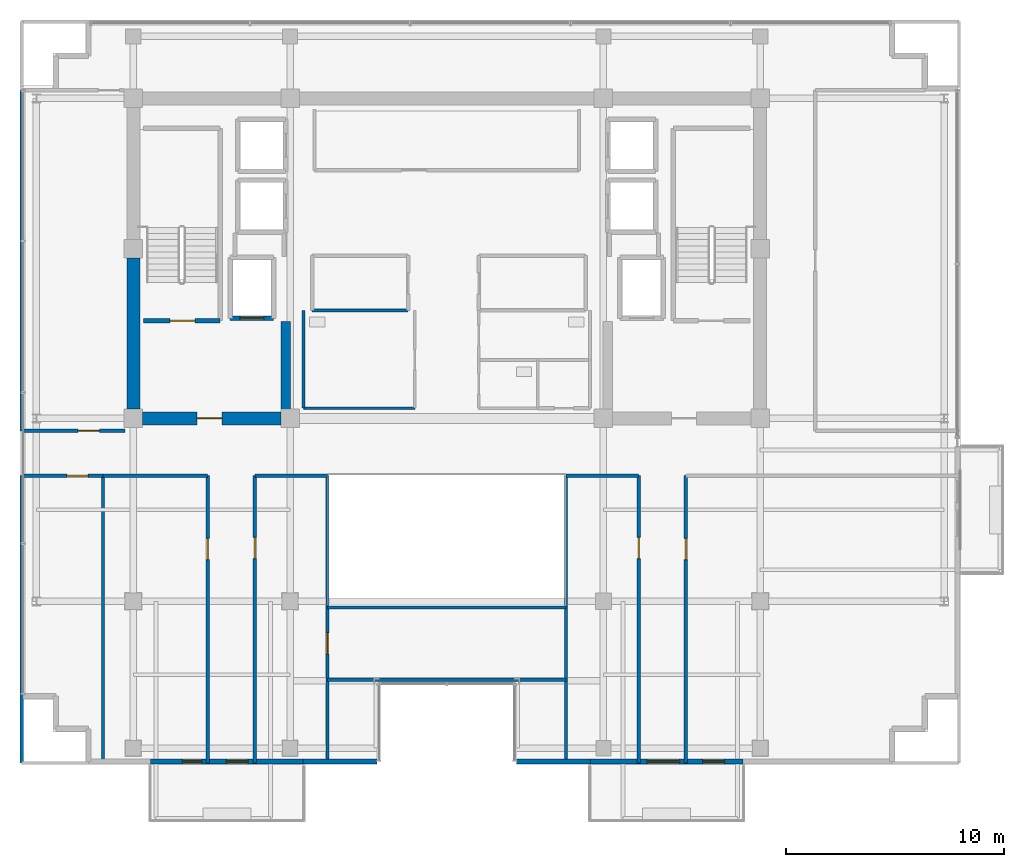
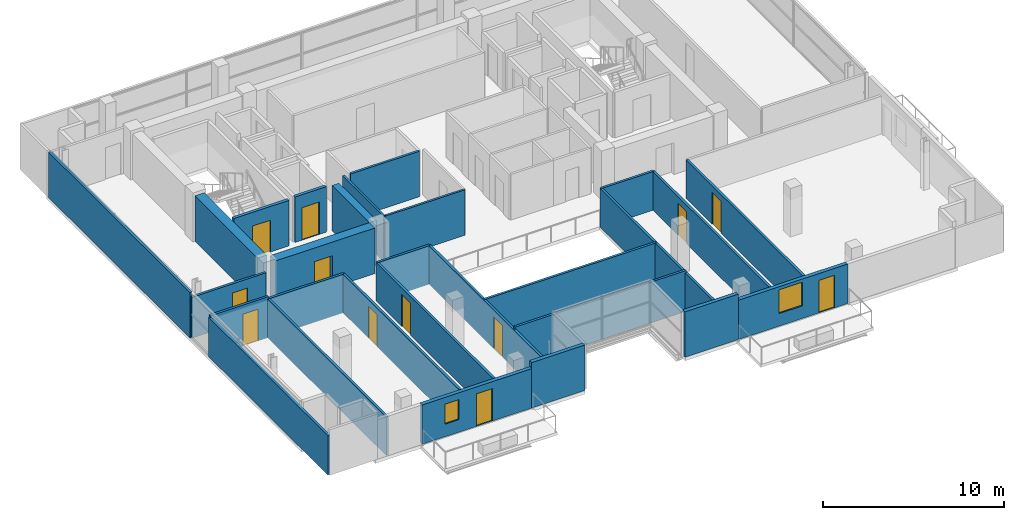
# One storey, part 15 of 22: 28 walls, 12 doors, 2 windows, 14 openings.
"""IFC4 building model written with IfcOpenShell, lengths in metres."""

from ifc_helpers import new_model, si_unit, direction, frame, frame_2d, origin, place, context, subcontext, project, spatial, rectangle, extrude, source, transform, mapped, material, layer, layer_set, type_object, element, fill, save


model = new_model("IFC4")

# Units and contexts
model_context = context("Model", 3, precision=1e-05, world=origin(), true_north=direction((0.0, 1.0)))
body_context = subcontext(model_context, "Body", "Model", "MODEL_VIEW")
ifc_project = project(units=[si_unit("LENGTHUNIT", "METRE"), si_unit("AREAUNIT", "SQUARE_METRE"), si_unit("VOLUMEUNIT", "CUBIC_METRE"), si_unit("PLANEANGLEUNIT", "RADIAN"), si_unit("MASSUNIT", "GRAM", prefix="KILO")], contexts=[model_context])

# Site, building, storey
site_placement = place(None, origin())
site = spatial("IfcSite", under=ifc_project, at=site_placement, CompositionType="ELEMENT")
building_placement = place(site_placement, origin())
building = spatial("IfcBuilding", under=site, at=building_placement, Name="Zarnakvel Exchange Tower", CompositionType="ELEMENT")
storey_placement = place(building_placement, frame((0.0, 0.0, 238.60009765625)))
storey = spatial("IfcBuildingStorey", under=building, at=storey_placement, Name="L67", CompositionType="ELEMENT", Elevation=238.60009765625)

# Wall
ifc_material_1 = material(Name="Concrete C50/60", Category="concrete")
ifc_layer_1 = layer(ifc_material_1, 0.60009765625)
ifc_layer_set_1 = layer_set([ifc_layer_1], Name="Concrete C50/60")
wall_type_1 = type_object("IfcWallType", Name="CW-C5", PredefinedType="SHEAR", material=ifc_layer_set_1)
wall_1_placement = place(storey_placement, frame((-14.39990234375, -0.77490234375, 0.0), z_axis=(0.0, 0.0, 1.0), x_axis=(0.0, 1.0, 0.0)))
element("IfcWall", 1, at=wall_1_placement, inside=storey, type_object=wall_type_1, Name="L67 Rear Core Shear Wall W1 (CW-C5)", PredefinedType="SHEAR", context=body_context, shape_type="SweptSolid", body=[
    extrude(rectangle(XDim=6.949951171875, YDim=0.60009765625, at=frame_2d((3.47509765625, 0.0))), origin(), (0.0, 0.0, 1.0), 3.074951171875),
])

# Wall, opening, door
wall_2_placement = place(storey_placement, frame((-7.625, -1.199951171875, 0.0), z_axis=(0.0, 0.0, 1.0), x_axis=(-1.0, 0.0, 0.0)))
wall_2 = element("IfcWall", 2, at=wall_2_placement, inside=storey, type_object=wall_type_1, Name="L67 Rear Core Shear Wall SW (CW-C5)", PredefinedType="SHEAR", context=body_context, shape_type="SweptSolid", body=[
    extrude(rectangle(XDim=6.35009765625, YDim=0.60009765625, at=frame_2d((3.175048828125, 0.0))), origin(), (0.0, 0.0, 1.0), 3.074951171875),
])
opening_1_placement = place(wall_2_placement, frame((2.699951171875, 0.0, 0.0)))
opening_1 = element("IfcOpeningElement", 3, at=opening_1_placement, cuts=wall_2, Name="Opening D-L67-03", PredefinedType="OPENING", context=body_context, shape_type="SweptSolid", body=[
    extrude(rectangle(XDim=1.14990234375, YDim=2.14990234375, at=frame_2d((0.574951171875, 1.074951171875))), frame((0.0, 0.31005859375, 0.0), z_axis=(0.0, -1.0, 0.0), x_axis=(1.0, 0.0, 0.0)), (0.0, 0.0, 1.0), 0.6201171875),
])
ifc_material_2 = material(Name="Painted Galvanised Steel S355", Category="steel")
door_type_1 = type_object("IfcDoorType", Name="DT-04", OperationType="NOTDEFINED", PredefinedType="DOOR", material=ifc_material_2)
shared_shape_1 = source(origin(), body_context, "Body", "SweptSolid", [
    extrude(rectangle(XDim=1.14990234375, YDim=2.14990234375, at=frame_2d((0.574951171875, 1.074951171875))), frame((0.0, 0.02490234375, 0.0), z_axis=(0.0, -1.0, 0.0), x_axis=(1.0, 0.0, 0.0)), (0.0, 0.0, 1.0), 0.050048828125),
])
door_1_placement = place(opening_1_placement, origin())
door_1 = element("IfcDoor", 4, at=door_1_placement, inside=storey, type_object=door_type_1, Name="L67 Firefighting Lobby West Door D-L67-03", OperationType="SINGLE_SWING_LEFT", OverallHeight=2.14990234375, OverallWidth=1.14990234375, PredefinedType="DOOR", context=body_context, shape_type="MappedRepresentation", body=[
    mapped(shared_shape_1, transform((0.0, 0.0, 0.0), x_axis=(1.0, 0.0, 0.0), y_axis=(0.0, 1.0, 0.0), z_axis=(0.0, 0.0, 1.0), scale=1.0)),
])
fill(opening_1, door_1)

# Wall
ifc_layer_2 = layer(ifc_material_1, 0.449951171875)
ifc_layer_set_2 = layer_set([ifc_layer_2], Name="Concrete C50/60")
wall_type_2 = type_object("IfcWallType", Name="CW-C6", PredefinedType="SHEAR", material=ifc_layer_set_2)
wall_3_placement = place(storey_placement, frame((-7.39990234375, -0.89990234375, 0.0), z_axis=(0.0, 0.0, 1.0), x_axis=(0.0, 1.0, 0.0)))
element("IfcWall", 5, at=wall_3_placement, inside=storey, type_object=wall_type_2, Name="L67 Rear Core Shear Wall IW (CW-C6)", PredefinedType="SHEAR", context=body_context, shape_type="SweptSolid", body=[
    extrude(rectangle(XDim=4.14990234375, YDim=0.449951171875, at=frame_2d((2.074951171875, 0.0))), origin(), (0.0, 0.0, 1.0), 3.074951171875),
])

# Wall, openings, door, window
ifc_material_3 = material(Name="Precast concrete C40/50", Category="concrete")
ifc_layer_3 = layer(ifc_material_3, 0.239990234375)
ifc_layer_set_3 = layer_set([ifc_layer_3], Name="Precast concrete C40/50")
wall_type_3 = type_object("IfcWallType", Name="EW-02", PredefinedType="SOLIDWALL", material=ifc_layer_set_3)
wall_4_placement = place(storey_placement, frame((-6.60009765625, -16.9599609375, 0.0), z_axis=(0.0, 0.0, 1.0), x_axis=(-1.0, 0.0, 0.0)))
wall_4 = element("IfcWall", 6, at=wall_4_placement, inside=storey, type_object=wall_type_3, Name="L67 Exterior Precast Spandrel Wall EW-BAL-L67-SW (EW-02)", PredefinedType="SOLIDWALL", context=body_context, shape_type="SweptSolid", body=[
    extrude(rectangle(XDim=7.0, YDim=0.239990234375, at=frame_2d((3.5, 0.0))), origin(), (0.0, 0.0, 1.0), 2.664794921875),
])
opening_2_placement = place(wall_4_placement, frame((2.52001953125, 0.0, 0.0)))
opening_2 = element("IfcOpeningElement", 7, at=opening_2_placement, cuts=wall_4, Name="Opening BD-L67-01", PredefinedType="OPENING", context=body_context, shape_type="SweptSolid", body=[
    extrude(rectangle(XDim=1.0, YDim=2.199951171875, at=frame_2d((0.5, 1.10009765625))), frame((0.0, 0.1298828125, 0.0), z_axis=(0.0, -1.0, 0.0), x_axis=(1.0, 0.0, 0.0)), (0.0, 0.0, 1.0), 0.260009765625),
])
opening_3_placement = place(wall_4_placement, frame((4.64990234375, 0.0, 0.85009765625)))
opening_3 = element("IfcOpeningElement", 8, at=opening_3_placement, cuts=wall_4, Name="Opening WN-06", PredefinedType="OPENING", context=body_context, shape_type="SweptSolid", body=[
    extrude(rectangle(XDim=0.89990234375, YDim=1.35009765625, at=frame_2d((0.449951171875, 0.675048828125))), frame((0.0, 0.1298828125, 0.0), z_axis=(0.0, -1.0, 0.0), x_axis=(1.0, 0.0, 0.0)), (0.0, 0.0, 1.0), 0.260009765625),
])
ifc_material_4 = material(Name="Architectural Bronze Anodised Aluminium", Category="aluminium")
door_type_2 = type_object("IfcDoorType", Name="DT-09", OperationType="NOTDEFINED", PredefinedType="DOOR", material=ifc_material_4)
shared_shape_2 = source(origin(), body_context, "Body", "SweptSolid", [
    extrude(rectangle(XDim=1.0, YDim=2.199951171875, at=frame_2d((0.5, 1.10009765625))), frame((0.0, 0.02490234375, 0.0), z_axis=(0.0, -1.0, 0.0), x_axis=(1.0, 0.0, 0.0)), (0.0, 0.0, 1.0), 0.050048828125),
])
door_2_placement = place(opening_2_placement, origin())
door_2 = element("IfcDoor", 9, at=door_2_placement, inside=storey, type_object=door_type_2, Name="L67 Planted Loggia Balcony Door BD-L67-01", OperationType="SINGLE_SWING_LEFT", OverallHeight=2.199951171875, OverallWidth=1.0, PredefinedType="DOOR", context=body_context, shape_type="MappedRepresentation", body=[
    mapped(shared_shape_2, transform((0.0, 0.0, 0.0), x_axis=(1.0, 0.0, 0.0), y_axis=(0.0, 1.0, 0.0), z_axis=(0.0, 0.0, 1.0), scale=1.0)),
])
fill(opening_2, door_2)
ifc_material_5 = material(Name="Double Low-E Laminated Vision Glass", Category="glass")
window_type_1 = type_object("IfcWindowType", Name="WN-06", PartitioningType="SINGLE_PANEL", PredefinedType="WINDOW", material=ifc_material_5)
shared_shape_3 = source(origin(), body_context, "Body", "SweptSolid", [
    extrude(rectangle(XDim=0.89990234375, YDim=1.35009765625, at=frame_2d((0.449951171875, 0.675048828125))), frame((0.0, 0.030029296875, 0.0), z_axis=(0.0, -1.0, 0.0), x_axis=(1.0, 0.0, 0.0)), (0.0, 0.0, 1.0), 0.06005859375),
])
window_1_placement = place(opening_3_placement, origin())
window_1 = element("IfcWindow", 10, at=window_1_placement, inside=storey, type_object=window_type_1, Name="L67 Loggia Daylight Window (WN-06)", OverallHeight=1.35009765625, OverallWidth=0.89990234375, PartitioningType="SINGLE_PANEL", PredefinedType="WINDOW", context=body_context, shape_type="MappedRepresentation", body=[
    mapped(shared_shape_3, transform((0.0, 0.0, 0.0), x_axis=(1.0, 0.0, 0.0), y_axis=(0.0, 1.0, 0.0), z_axis=(0.0, 0.0, 1.0), scale=1.0)),
])
fill(opening_3, window_1)

wall_5_placement = place(storey_placement, frame((13.60009765625, -16.9599609375, 0.0), z_axis=(0.0, 0.0, 1.0), x_axis=(-1.0, 0.0, 0.0)))
wall_5 = element("IfcWall", 11, at=wall_5_placement, inside=storey, type_object=wall_type_3, Name="L67 Exterior Precast Spandrel Wall EW-BAL-L67-SE (EW-02)", PredefinedType="SOLIDWALL", context=body_context, shape_type="SweptSolid", body=[
    extrude(rectangle(XDim=7.0, YDim=0.239990234375, at=frame_2d((3.5, 0.0))), origin(), (0.0, 0.0, 1.0), 2.664794921875),
])
opening_4_placement = place(wall_5_placement, frame((0.840087890625, 0.0, 0.0)))
opening_4 = element("IfcOpeningElement", 12, at=opening_4_placement, cuts=wall_5, Name="Opening BD-L67-02", PredefinedType="OPENING", context=body_context, shape_type="SweptSolid", body=[
    extrude(rectangle(XDim=1.0, YDim=2.199951171875, at=frame_2d((0.5, 1.10009765625))), frame((0.0, 0.1298828125, 0.0), z_axis=(0.0, -1.0, 0.0), x_axis=(1.0, 0.0, 0.0)), (0.0, 0.0, 1.0), 0.260009765625),
])
opening_5_placement = place(wall_5_placement, frame((2.89990234375, 0.0, 0.85009765625)))
opening_5 = element("IfcOpeningElement", 13, at=opening_5_placement, cuts=wall_5, Name="Opening WN-03", PredefinedType="OPENING", context=body_context, shape_type="SweptSolid", body=[
    extrude(rectangle(XDim=1.5, YDim=1.60009765625, at=frame_2d((0.75, 0.800048828125))), frame((0.0, 0.1298828125, 0.0), z_axis=(0.0, -1.0, 0.0), x_axis=(1.0, 0.0, 0.0)), (0.0, 0.0, 1.0), 0.260009765625),
])
door_3_placement = place(opening_4_placement, origin())
door_3 = element("IfcDoor", 14, at=door_3_placement, inside=storey, type_object=door_type_2, Name="L67 Planted Loggia Balcony Door BD-L67-02", OperationType="SINGLE_SWING_RIGHT", OverallHeight=2.199951171875, OverallWidth=1.0, PredefinedType="DOOR", context=body_context, shape_type="MappedRepresentation", body=[
    mapped(shared_shape_2, transform((0.0, 0.0, 0.0), x_axis=(1.0, 0.0, 0.0), y_axis=(0.0, 1.0, 0.0), z_axis=(0.0, 0.0, 1.0), scale=1.0)),
])
fill(opening_4, door_3)
window_type_2 = type_object("IfcWindowType", Name="WN-03", PartitioningType="SINGLE_PANEL", PredefinedType="WINDOW", material=ifc_material_5)
shared_shape_4 = source(origin(), body_context, "Body", "SweptSolid", [
    extrude(rectangle(XDim=1.5, YDim=1.60009765625, at=frame_2d((0.75, 0.800048828125))), frame((0.0, 0.030029296875, 0.0), z_axis=(0.0, -1.0, 0.0), x_axis=(1.0, 0.0, 0.0)), (0.0, 0.0, 1.0), 0.06005859375),
])
window_2_placement = place(opening_5_placement, origin())
window_2 = element("IfcWindow", 15, at=window_2_placement, inside=storey, type_object=window_type_2, Name="L67 Loggia Daylight Window (WN-03)", OverallHeight=1.60009765625, OverallWidth=1.5, PartitioningType="SINGLE_PANEL", PredefinedType="WINDOW", context=body_context, shape_type="MappedRepresentation", body=[
    mapped(shared_shape_4, transform((0.0, 0.0, 0.0), x_axis=(1.0, 0.0, 0.0), y_axis=(0.0, 1.0, 0.0), z_axis=(0.0, 0.0, 1.0), scale=1.0)),
])
fill(opening_5, window_2)

# Walls
for number, where, z_axis, x_axis, name in (
    (16, (3.199951171875, -16.9599609375, 0.0), (0.0, 0.0, 1.0), (1.0, 0.0, 0.0), "L67 Exterior Precast Spandrel Wall EWC-L67-16 (EW-02)"),
    (17, (-6.60009765625, -16.9599609375, 0.0), (0.0, 0.0, 1.0), (1.0, 0.0, 0.0), "L67 Exterior Precast Spandrel Wall EWC-L67-21 (EW-02)"),
):
    element("IfcWall", number, at=place(storey_placement, frame(where, z_axis=z_axis, x_axis=x_axis)), inside=storey, type_object=wall_type_3, Name=name, PredefinedType="SOLIDWALL", context=body_context, shape_type="SweptSolid", body=[
        extrude(rectangle(XDim=3.400146484375, YDim=0.239990234375, at=frame_2d((1.7001953125, 0.0))), origin(), (0.0, 0.0, 1.0), 3.074951171875),
    ])
ifc_material_6 = material(Name="Fire-Rated Gypsum Stud Partition", Category="gypsum")
ifc_layer_4 = layer(ifc_material_6, 0.14990234375)
ifc_layer_set_4 = layer_set([ifc_layer_4], Name="Fire-Rated Gypsum Stud Partition")
wall_type_4 = type_object("IfcWallType", Name="PT-01", PredefinedType="PARTITIONING", material=ifc_layer_set_4)
wall_6_placement = place(storey_placement, frame((-1.77001953125, 3.760009765625, 0.0), z_axis=(0.0, 0.0, 1.0), x_axis=(-1.0, 0.0, 0.0)))
element("IfcWall", 18, at=wall_6_placement, inside=storey, type_object=wall_type_4, Name="L67 Partition Wall PWALL-L67-014 (PT-01)", PredefinedType="PARTITIONING", context=body_context, shape_type="SweptSolid", body=[
    extrude(rectangle(XDim=4.409912109375, YDim=0.14990234375, at=frame_2d((2.205078125, 0.0))), origin(), (0.0, 0.0, 1.0), 3.074951171875),
])

# Wall, opening, door
wall_7_placement = place(storey_placement, frame((-19.530029296875, -3.830078125, 0.0), z_axis=(0.0, 0.0, 1.0), x_axis=(1.0, 0.0, 0.0)))
wall_7 = element("IfcWall", 19, at=wall_7_placement, inside=storey, type_object=wall_type_4, Name="L67 Partition Wall PWALL-L67-034 (PT-01)", PredefinedType="PARTITIONING", context=body_context, shape_type="SweptSolid", body=[
    extrude(rectangle(XDim=3.73828125, YDim=0.14990234375, at=frame_2d((1.869140625, 0.0))), origin(), (0.0, 0.0, 1.0), 2.764892578125),
])
opening_6_placement = place(wall_7_placement, frame((2.0791015625, 0.0, 0.0)))
opening_6 = element("IfcOpeningElement", 20, at=opening_6_placement, cuts=wall_7, Name="Opening D-L67-12", PredefinedType="OPENING", context=body_context, shape_type="SweptSolid", body=[
    extrude(rectangle(XDim=0.97998046875, YDim=2.14990234375, at=frame_2d((0.489990234375, 1.074951171875))), frame((0.0, 0.0849609375, 0.0), z_axis=(0.0, -1.0, 0.0), x_axis=(1.0, 0.0, 0.0)), (0.0, 0.0, 1.0), 0.169921875),
])
ifc_material_7 = material(Name="Timber Acoustic Veneer", Category="wood")
door_type_3 = type_object("IfcDoorType", Name="DT-05", OperationType="NOTDEFINED", PredefinedType="DOOR", material=ifc_material_7)
shared_shape_5 = source(origin(), body_context, "Body", "SweptSolid", [
    extrude(rectangle(XDim=0.97998046875, YDim=2.14990234375, at=frame_2d((0.489990234375, 1.074951171875))), frame((0.0, 0.02490234375, 0.0), z_axis=(0.0, -1.0, 0.0), x_axis=(1.0, 0.0, 0.0)), (0.0, 0.0, 1.0), 0.050048828125),
])
door_4_placement = place(opening_6_placement, origin())
door_4 = element("IfcDoor", 21, at=door_4_placement, inside=storey, type_object=door_type_3, Name="L67 Commodities Dealing Room Door D-L67-12", OperationType="SINGLE_SWING_RIGHT", OverallHeight=2.14990234375, OverallWidth=0.97998046875, PredefinedType="DOOR", context=body_context, shape_type="MappedRepresentation", body=[
    mapped(shared_shape_5, transform((0.0, 0.0, 0.0), x_axis=(1.0, 0.0, 0.0), y_axis=(0.0, 1.0, 0.0), z_axis=(0.0, 0.0, 1.0), scale=1.0)),
])
fill(opening_6, door_4)

# Walls
wall_8_placement = place(storey_placement, frame((-19.530029296875, -17.030029296875, 0.0), z_axis=(0.0, 0.0, 1.0), x_axis=(0.0, 1.0, 0.0)))
element("IfcWall", 22, at=wall_8_placement, inside=storey, type_object=wall_type_4, Name="L67 Partition Wall PWALL-L67-035 (PT-01)", PredefinedType="PARTITIONING", context=body_context, shape_type="SweptSolid", body=[
    extrude(rectangle(XDim=13.199951171875, YDim=0.14990234375, at=frame_2d((6.60009765625, 0.0))), origin(), (0.0, 0.0, 1.0), 2.664794921875),
])
wall_9_placement = place(storey_placement, frame((-15.791748046875, -3.830078125, 0.0), z_axis=(0.0, 0.0, 1.0), x_axis=(0.0, -1.0, 0.0)))
element("IfcWall", 23, at=wall_9_placement, inside=storey, type_object=wall_type_4, Name="L67 Partition Wall PWALL-L67-036 (PT-01)", PredefinedType="PARTITIONING", context=body_context, shape_type="SweptSolid", body=[
    extrude(rectangle(XDim=13.199951171875, YDim=0.14990234375, at=frame_2d((6.60009765625, 0.0))), origin(), (0.0, 0.0, 1.0), 2.614990234375),
])
wall_10_placement = place(storey_placement, frame((-15.791748046875, -3.830078125, 0.0), z_axis=(0.0, 0.0, 1.0), x_axis=(1.0, 0.0, 0.0)))
element("IfcWall", 24, at=wall_10_placement, inside=storey, type_object=wall_type_4, Name="L67 Partition Wall PWALL-L67-038 (PT-01)", PredefinedType="PARTITIONING", context=body_context, shape_type="SweptSolid", body=[
    extrude(rectangle(XDim=4.811767578125, YDim=0.14990234375, at=frame_2d((2.40576171875, 0.0))), origin(), (0.0, 0.0, 1.0), 2.614990234375),
])

# Wall, opening, door
wall_11_placement = place(storey_placement, frame((-10.97998046875, -3.830078125, 0.0), z_axis=(0.0, 0.0, 1.0), x_axis=(0.0, -1.0, 0.0)))
wall_11 = element("IfcWall", 25, at=wall_11_placement, inside=storey, type_object=wall_type_4, Name="L67 Partition Wall PWALL-L67-039 (PT-01)", PredefinedType="PARTITIONING", context=body_context, shape_type="SweptSolid", body=[
    extrude(rectangle(XDim=13.199951171875, YDim=0.14990234375, at=frame_2d((6.60009765625, 0.0))), origin(), (0.0, 0.0, 1.0), 2.614990234375),
])
opening_7_placement = place(wall_11_placement, frame((2.8798828125, 0.0, 0.0)))
opening_7 = element("IfcOpeningElement", 26, at=opening_7_placement, cuts=wall_11, Name="Opening D-L67-13", PredefinedType="OPENING", context=body_context, shape_type="SweptSolid", body=[
    extrude(rectangle(XDim=0.97998046875, YDim=2.14990234375, at=frame_2d((0.489990234375, 1.074951171875))), frame((0.0, 0.0849609375, 0.0), z_axis=(0.0, -1.0, 0.0), x_axis=(1.0, 0.0, 0.0)), (0.0, 0.0, 1.0), 0.169921875),
])
door_5_placement = place(opening_7_placement, origin())
door_5 = element("IfcDoor", 27, at=door_5_placement, inside=storey, type_object=door_type_3, Name="L67 Brokerage Office Door D-L67-13", OperationType="SINGLE_SWING_LEFT", OverallHeight=2.14990234375, OverallWidth=0.97998046875, PredefinedType="DOOR", context=body_context, shape_type="MappedRepresentation", body=[
    mapped(shared_shape_5, transform((0.0, 0.0, 0.0), x_axis=(1.0, 0.0, 0.0), y_axis=(0.0, 1.0, 0.0), z_axis=(0.0, 0.0, 1.0), scale=1.0)),
])
fill(opening_7, door_5)

wall_12_placement = place(storey_placement, frame((10.97998046875, -17.030029296875, 0.0), z_axis=(0.0, 0.0, 1.0), x_axis=(0.0, 1.0, 0.0)))
wall_12 = element("IfcWall", 28, at=wall_12_placement, inside=storey, type_object=wall_type_4, Name="L67 Partition Wall PWALL-L67-042 (PT-01)", PredefinedType="PARTITIONING", context=body_context, shape_type="SweptSolid", body=[
    extrude(rectangle(XDim=13.199951171875, YDim=0.14990234375, at=frame_2d((6.60009765625, 0.0))), origin(), (0.0, 0.0, 1.0), 2.614990234375),
])
opening_8_placement = place(wall_12_placement, frame((9.340087890625, 0.0, 0.0)))
opening_8 = element("IfcOpeningElement", 29, at=opening_8_placement, cuts=wall_12, Name="Opening D-L67-14", PredefinedType="OPENING", context=body_context, shape_type="SweptSolid", body=[
    extrude(rectangle(XDim=0.97998046875, YDim=2.14990234375, at=frame_2d((0.489990234375, 1.074951171875))), frame((0.0, 0.0849609375, 0.0), z_axis=(0.0, -1.0, 0.0), x_axis=(1.0, 0.0, 0.0)), (0.0, 0.0, 1.0), 0.169921875),
])
door_6_placement = place(opening_8_placement, origin())
door_6 = element("IfcDoor", 30, at=door_6_placement, inside=storey, type_object=door_type_3, Name="L67 Seminar Room Door D-L67-14", OperationType="SINGLE_SWING_RIGHT", OverallHeight=2.14990234375, OverallWidth=0.97998046875, PredefinedType="DOOR", context=body_context, shape_type="MappedRepresentation", body=[
    mapped(shared_shape_5, transform((0.0, 0.0, 0.0), x_axis=(1.0, 0.0, 0.0), y_axis=(0.0, 1.0, 0.0), z_axis=(0.0, 0.0, 1.0), scale=1.0)),
])
fill(opening_8, door_6)

# Wall
wall_13_placement = place(storey_placement, frame((-8.820068359375, -3.830078125, 0.0), z_axis=(0.0, 0.0, 1.0), x_axis=(1.0, 0.0, 0.0)))
element("IfcWall", 31, at=wall_13_placement, inside=storey, type_object=wall_type_4, Name="L67 Partition Wall PWALL-L67-045 (PT-01)", PredefinedType="PARTITIONING", context=body_context, shape_type="SweptSolid", body=[
    extrude(rectangle(XDim=3.340087890625, YDim=0.14990234375, at=frame_2d((1.669921875, 0.0))), origin(), (0.0, 0.0, 1.0), 2.614990234375),
])

# Wall, opening, door
wall_14_placement = place(storey_placement, frame((-8.820068359375, -17.030029296875, 0.0), z_axis=(0.0, 0.0, 1.0), x_axis=(0.0, 1.0, 0.0)))
wall_14 = element("IfcWall", 32, at=wall_14_placement, inside=storey, type_object=wall_type_4, Name="L67 Partition Wall PWALL-L67-046 (PT-01)", PredefinedType="PARTITIONING", context=body_context, shape_type="SweptSolid", body=[
    extrude(rectangle(XDim=13.199951171875, YDim=0.14990234375, at=frame_2d((6.60009765625, 0.0))), origin(), (0.0, 0.0, 1.0), 2.614990234375),
])
opening_9_placement = place(wall_14_placement, frame((9.385009765625, 0.0, 0.0)))
opening_9 = element("IfcOpeningElement", 33, at=opening_9_placement, cuts=wall_14, Name="Opening D-L67-15", PredefinedType="OPENING", context=body_context, shape_type="SweptSolid", body=[
    extrude(rectangle(XDim=0.97998046875, YDim=2.14990234375, at=frame_2d((0.489990234375, 1.074951171875))), frame((0.0, 0.0849609375, 0.0), z_axis=(0.0, -1.0, 0.0), x_axis=(1.0, 0.0, 0.0)), (0.0, 0.0, 1.0), 0.169921875),
])
door_7_placement = place(opening_9_placement, origin())
door_7 = element("IfcDoor", 34, at=door_7_placement, inside=storey, type_object=door_type_3, Name="L67 Tea Pantry Door D-L67-15", OperationType="SINGLE_SWING_LEFT", OverallHeight=2.14990234375, OverallWidth=0.97998046875, PredefinedType="DOOR", context=body_context, shape_type="MappedRepresentation", body=[
    mapped(shared_shape_5, transform((0.0, 0.0, 0.0), x_axis=(1.0, 0.0, 0.0), y_axis=(0.0, 1.0, 0.0), z_axis=(0.0, 0.0, 1.0), scale=1.0)),
])
fill(opening_9, door_7)

wall_15_placement = place(storey_placement, frame((-5.47998046875, -3.830078125, 0.0), z_axis=(0.0, 0.0, 1.0), x_axis=(0.0, -1.0, 0.0)))
wall_15 = element("IfcWall", 35, at=wall_15_placement, inside=storey, type_object=wall_type_4, Name="L67 Partition Wall PWALL-L67-047 (PT-01)", PredefinedType="PARTITIONING", context=body_context, shape_type="SweptSolid", body=[
    extrude(rectangle(XDim=13.199951171875, YDim=0.14990234375, at=frame_2d((6.60009765625, 0.0))), origin(), (0.0, 0.0, 1.0), 2.614990234375),
])
opening_10_placement = place(wall_15_placement, frame((7.219970703125, 0.0, 0.0)))
opening_10 = element("IfcOpeningElement", 36, at=opening_10_placement, cuts=wall_15, Name="Opening D-L67-17", PredefinedType="OPENING", context=body_context, shape_type="SweptSolid", body=[
    extrude(rectangle(XDim=0.97998046875, YDim=2.14990234375, at=frame_2d((0.489990234375, 1.074951171875))), frame((0.0, 0.0849609375, 0.0), z_axis=(0.0, -1.0, 0.0), x_axis=(1.0, 0.0, 0.0)), (0.0, 0.0, 1.0), 0.169921875),
])
door_8_placement = place(opening_10_placement, origin())
door_8 = element("IfcDoor", 37, at=door_8_placement, inside=storey, type_object=door_type_3, Name="L67 Breakout Lounge Door D-L67-17", OperationType="SINGLE_SWING_LEFT", OverallHeight=2.14990234375, OverallWidth=0.97998046875, PredefinedType="DOOR", context=body_context, shape_type="MappedRepresentation", body=[
    mapped(shared_shape_5, transform((0.0, 0.0, 0.0), x_axis=(1.0, 0.0, 0.0), y_axis=(0.0, 1.0, 0.0), z_axis=(0.0, 0.0, 1.0), scale=1.0)),
])
fill(opening_10, door_8)

# Walls
wall_16_placement = place(storey_placement, frame((5.47998046875, -3.830078125, 0.0), z_axis=(0.0, 0.0, 1.0), x_axis=(1.0, 0.0, 0.0)))
element("IfcWall", 38, at=wall_16_placement, inside=storey, type_object=wall_type_4, Name="L67 Partition Wall PWALL-L67-049 (PT-01)", PredefinedType="PARTITIONING", context=body_context, shape_type="SweptSolid", body=[
    extrude(rectangle(XDim=3.340087890625, YDim=0.14990234375, at=frame_2d((1.669921875, 0.0))), origin(), (0.0, 0.0, 1.0), 2.614990234375),
])
wall_17_placement = place(storey_placement, frame((5.47998046875, -17.030029296875, 0.0), z_axis=(0.0, 0.0, 1.0), x_axis=(0.0, 1.0, 0.0)))
element("IfcWall", 39, at=wall_17_placement, inside=storey, type_object=wall_type_4, Name="L67 Partition Wall PWALL-L67-050 (PT-01)", PredefinedType="PARTITIONING", context=body_context, shape_type="SweptSolid", body=[
    extrude(rectangle(XDim=13.199951171875, YDim=0.14990234375, at=frame_2d((6.60009765625, 0.0))), origin(), (0.0, 0.0, 1.0), 2.614990234375),
])

# Wall, opening, door
wall_18_placement = place(storey_placement, frame((8.820068359375, -3.830078125, 0.0), z_axis=(0.0, 0.0, 1.0), x_axis=(0.0, -1.0, 0.0)))
wall_18 = element("IfcWall", 40, at=wall_18_placement, inside=storey, type_object=wall_type_4, Name="L67 Partition Wall PWALL-L67-051 (PT-01)", PredefinedType="PARTITIONING", context=body_context, shape_type="SweptSolid", body=[
    extrude(rectangle(XDim=13.199951171875, YDim=0.14990234375, at=frame_2d((6.60009765625, 0.0))), origin(), (0.0, 0.0, 1.0), 2.614990234375),
])
opening_11_placement = place(wall_18_placement, frame((2.8349609375, 0.0, 0.0)))
opening_11 = element("IfcOpeningElement", 41, at=opening_11_placement, cuts=wall_18, Name="Opening D-L67-16", PredefinedType="OPENING", context=body_context, shape_type="SweptSolid", body=[
    extrude(rectangle(XDim=0.97998046875, YDim=2.14990234375, at=frame_2d((0.489990234375, 1.074951171875))), frame((0.0, 0.0849609375, 0.0), z_axis=(0.0, -1.0, 0.0), x_axis=(1.0, 0.0, 0.0)), (0.0, 0.0, 1.0), 0.169921875),
])
door_9_placement = place(opening_11_placement, origin())
door_9 = element("IfcDoor", 42, at=door_9_placement, inside=storey, type_object=door_type_3, Name="L67 Fintech Workspace Door D-L67-16", OperationType="SINGLE_SWING_RIGHT", OverallHeight=2.14990234375, OverallWidth=0.97998046875, PredefinedType="DOOR", context=body_context, shape_type="MappedRepresentation", body=[
    mapped(shared_shape_5, transform((0.0, 0.0, 0.0), x_axis=(1.0, 0.0, 0.0), y_axis=(0.0, 1.0, 0.0), z_axis=(0.0, 0.0, 1.0), scale=1.0)),
])
fill(opening_11, door_9)

# Walls
wall_19_placement = place(storey_placement, frame((5.47998046875, -13.199951171875, 0.0), z_axis=(0.0, 0.0, 1.0), x_axis=(-1.0, 0.0, 0.0)))
element("IfcWall", 43, at=wall_19_placement, inside=storey, type_object=wall_type_4, Name="L67 Partition Wall PWALL-L67-052 (PT-01)", PredefinedType="PARTITIONING", context=body_context, shape_type="SweptSolid", body=[
    extrude(rectangle(XDim=10.9599609375, YDim=0.14990234375, at=frame_2d((5.47998046875, 0.0))), origin(), (0.0, 0.0, 1.0), 2.764892578125),
])
wall_20_placement = place(storey_placement, frame((-5.47998046875, -9.8798828125, 0.0), z_axis=(0.0, 0.0, 1.0), x_axis=(1.0, 0.0, 0.0)))
element("IfcWall", 44, at=wall_20_placement, inside=storey, type_object=wall_type_4, Name="L67 Partition Wall PWALL-L67-053 (PT-01)", PredefinedType="PARTITIONING", context=body_context, shape_type="SweptSolid", body=[
    extrude(rectangle(XDim=10.9599609375, YDim=0.14990234375, at=frame_2d((5.47998046875, 0.0))), origin(), (0.0, 0.0, 1.0), 2.614990234375),
])

# Wall, opening, door
wall_21_placement = place(storey_placement, frame((-14.77001953125, -1.77001953125, 0.0), z_axis=(0.0, 0.0, 1.0), x_axis=(-1.0, 0.0, 0.0)))
wall_21 = element("IfcWall", 45, at=wall_21_placement, inside=storey, type_object=wall_type_4, Name="L67 Partition Wall PWALL-L67-054 (PT-01)", PredefinedType="PARTITIONING", context=body_context, shape_type="SweptSolid", body=[
    extrude(rectangle(XDim=4.760009765625, YDim=0.14990234375, at=frame_2d((2.3798828125, 0.0))), origin(), (0.0, 0.0, 1.0), 2.764892578125),
])
opening_12_placement = place(wall_21_placement, frame((1.18994140625, 0.0, 0.0)))
opening_12 = element("IfcOpeningElement", 46, at=opening_12_placement, cuts=wall_21, Name="Opening D-L67-18", PredefinedType="OPENING", context=body_context, shape_type="SweptSolid", body=[
    extrude(rectangle(XDim=0.97998046875, YDim=2.14990234375, at=frame_2d((0.489990234375, 1.074951171875))), frame((0.0, 0.0849609375, 0.0), z_axis=(0.0, -1.0, 0.0), x_axis=(1.0, 0.0, 0.0)), (0.0, 0.0, 1.0), 0.169921875),
])
door_10_placement = place(opening_12_placement, origin())
door_10 = element("IfcDoor", 47, at=door_10_placement, inside=storey, type_object=door_type_3, Name="L67 Boardroom Door D-L67-18", OperationType="SINGLE_SWING_RIGHT", OverallHeight=2.14990234375, OverallWidth=0.97998046875, PredefinedType="DOOR", context=body_context, shape_type="MappedRepresentation", body=[
    mapped(shared_shape_5, transform((0.0, 0.0, 0.0), x_axis=(1.0, 0.0, 0.0), y_axis=(0.0, 1.0, 0.0), z_axis=(0.0, 0.0, 1.0), scale=1.0)),
])
fill(opening_12, door_10)

# Walls
wall_22_placement = place(storey_placement, frame((-19.530029296875, -1.77001953125, 0.0), z_axis=(0.0, 0.0, 1.0), x_axis=(0.0, 1.0, 0.0)))
element("IfcWall", 48, at=wall_22_placement, inside=storey, type_object=wall_type_4, Name="L67 Partition Wall PWALL-L67-056 (PT-01)", PredefinedType="PARTITIONING", context=body_context, shape_type="SweptSolid", body=[
    extrude(rectangle(XDim=15.64990234375, YDim=0.14990234375, at=frame_2d((7.824951171875, 0.0))), origin(), (0.0, 0.0, 1.0), 3.074951171875),
])
ifc_material_8 = material(Name="Moisture-Resistant Tile-Faced Partition", Category="gypsum")
ifc_layer_5 = layer(ifc_material_8, 0.135009765625)
ifc_layer_set_5 = layer_set([ifc_layer_5], Name="Moisture-Resistant Tile-Faced Partition")
wall_type_5 = type_object("IfcWallType", Name="PT-03", PredefinedType="PARTITIONING", material=ifc_layer_set_5)
wall_23_placement = place(storey_placement, frame((-1.469970703125, -0.72998046875, 0.0), z_axis=(0.0, 0.0, 1.0), x_axis=(-1.0, 0.0, 0.0)))
element("IfcWall", 49, at=wall_23_placement, inside=storey, type_object=wall_type_5, Name="L67 Partition Wall PWALL-L67-022 (PT-03)", PredefinedType="PARTITIONING", context=body_context, shape_type="SweptSolid", body=[
    extrude(rectangle(XDim=5.110107421875, YDim=0.135009765625, at=frame_2d((2.55517578125, 0.0))), origin(), (0.0, 0.0, 1.0), 3.074951171875),
])
wall_24_placement = place(storey_placement, frame((-6.580078125, -0.72998046875, 0.0), z_axis=(0.0, 0.0, 1.0), x_axis=(0.0, 1.0, 0.0)))
element("IfcWall", 50, at=wall_24_placement, inside=storey, type_object=wall_type_5, Name="L67 Partition Wall PWALL-L67-023 (PT-03)", PredefinedType="PARTITIONING", context=body_context, shape_type="SweptSolid", body=[
    extrude(rectangle(XDim=4.489990234375, YDim=0.135009765625, at=frame_2d((2.2451171875, 0.0))), origin(), (0.0, 0.0, 1.0), 3.074951171875),
])

# Wall, opening, door
ifc_material_9 = material(Name="Concrete C40/50", Category="concrete")
ifc_layer_6 = layer(ifc_material_9, 0.199951171875)
ifc_layer_set_6 = layer_set([ifc_layer_6], Name="Concrete C40/50")
wall_type_6 = type_object("IfcWallType", Name="SW-01", PredefinedType="SOLIDWALL", material=ifc_layer_set_6)
wall_25_placement = place(storey_placement, frame((-7.949951171875, 3.39990234375, 0.0), z_axis=(0.0, 0.0, 1.0), x_axis=(-1.0, 0.0, 0.0)))
wall_25 = element("IfcWall", 51, at=wall_25_placement, inside=storey, type_object=wall_type_6, Name="L67 FL-01 Hoistway Wall South", PredefinedType="SOLIDWALL", context=body_context, shape_type="SweptSolid", body=[
    extrude(rectangle(XDim=2.0, YDim=0.199951171875, at=frame_2d((1.0, 0.0))), origin(), (0.0, 0.0, 1.0), 3.074951171875),
])
opening_13_placement = place(wall_25_placement, frame((0.449951171875, 0.0, 0.0)))
opening_13 = element("IfcOpeningElement", 52, at=opening_13_placement, cuts=wall_25, Name="Opening LD-FL-01-L67", PredefinedType="OPENING", context=body_context, shape_type="SweptSolid", body=[
    extrude(rectangle(XDim=1.10009765625, YDim=2.199951171875, at=frame_2d((0.550048828125, 1.10009765625))), frame((0.0, 0.10986328125, 0.0), z_axis=(0.0, -1.0, 0.0), x_axis=(1.0, 0.0, 0.0)), (0.0, 0.0, 1.0), 0.219970703125),
])
ifc_material_10 = material(Name="Brushed Stainless Steel", Category="steel")
door_type_4 = type_object("IfcDoorType", Name="LDT-01", OperationType="NOTDEFINED", PredefinedType="DOOR", material=ifc_material_10)
shared_shape_6 = source(origin(), body_context, "Body", "SweptSolid", [
    extrude(rectangle(XDim=1.10009765625, YDim=2.199951171875, at=frame_2d((0.550048828125, 1.10009765625))), frame((0.0, 0.02490234375, 0.0), z_axis=(0.0, -1.0, 0.0), x_axis=(1.0, 0.0, 0.0)), (0.0, 0.0, 1.0), 0.050048828125),
])
door_11_placement = place(opening_13_placement, origin())
door_11 = element("IfcDoor", 53, at=door_11_placement, inside=storey, type_object=door_type_4, Name="L67 FL-01 Lift Landing Door LD-FL-01-L67", OperationType="DOUBLE_DOOR_SLIDING", OverallHeight=2.199951171875, OverallWidth=1.10009765625, PredefinedType="DOOR", context=body_context, shape_type="MappedRepresentation", body=[
    mapped(shared_shape_6, transform((0.0, 0.0, 0.0), x_axis=(1.0, 0.0, 0.0), y_axis=(0.0, 1.0, 0.0), z_axis=(0.0, 0.0, 1.0), scale=1.0)),
])
fill(opening_13, door_11)

ifc_layer_7 = layer(ifc_material_9, 0.199951171875)
ifc_layer_set_7 = layer_set([ifc_layer_7], Name="Concrete C40/50")
wall_type_7 = type_object("IfcWallType", Name="SW-02", PredefinedType="SOLIDWALL", material=ifc_layer_set_7)
wall_26_placement = place(storey_placement, frame((-10.409912109375, 3.2900390625, 0.0), z_axis=(0.0, 0.0, 1.0), x_axis=(-1.0, 0.0, 0.0)))
wall_26 = element("IfcWall", 54, at=wall_26_placement, inside=storey, type_object=wall_type_7, Name="L67 Stairwell Core Wall PWALL-L67-001 (SW-02)", PredefinedType="SOLIDWALL", context=body_context, shape_type="SweptSolid", body=[
    extrude(rectangle(XDim=3.52001953125, YDim=0.199951171875, at=frame_2d((1.760009765625, 0.0))), origin(), (0.0, 0.0, 1.0), 3.074951171875),
])
opening_14_placement = place(wall_26_placement, frame((1.1650390625, 0.0, 0.0)))
opening_14 = element("IfcOpeningElement", 55, at=opening_14_placement, cuts=wall_26, Name="Opening D-L67-01", PredefinedType="OPENING", context=body_context, shape_type="SweptSolid", body=[
    extrude(rectangle(XDim=1.14990234375, YDim=2.14990234375, at=frame_2d((0.574951171875, 1.074951171875))), frame((0.0, 0.10986328125, 0.0), z_axis=(0.0, -1.0, 0.0), x_axis=(1.0, 0.0, 0.0)), (0.0, 0.0, 1.0), 0.219970703125),
])
door_12_placement = place(opening_14_placement, origin())
door_12 = element("IfcDoor", 56, at=door_12_placement, inside=storey, type_object=door_type_1, Name="L67 Stairwell ST-01 Door D-L67-01", OperationType="SINGLE_SWING_LEFT", OverallHeight=2.14990234375, OverallWidth=1.14990234375, PredefinedType="DOOR", context=body_context, shape_type="MappedRepresentation", body=[
    mapped(shared_shape_1, transform((0.0, 0.0, 0.0), x_axis=(1.0, 0.0, 0.0), y_axis=(0.0, 1.0, 0.0), z_axis=(0.0, 0.0, 1.0), scale=1.0)),
])
fill(opening_14, door_12)

save(model, "model.ifc")
